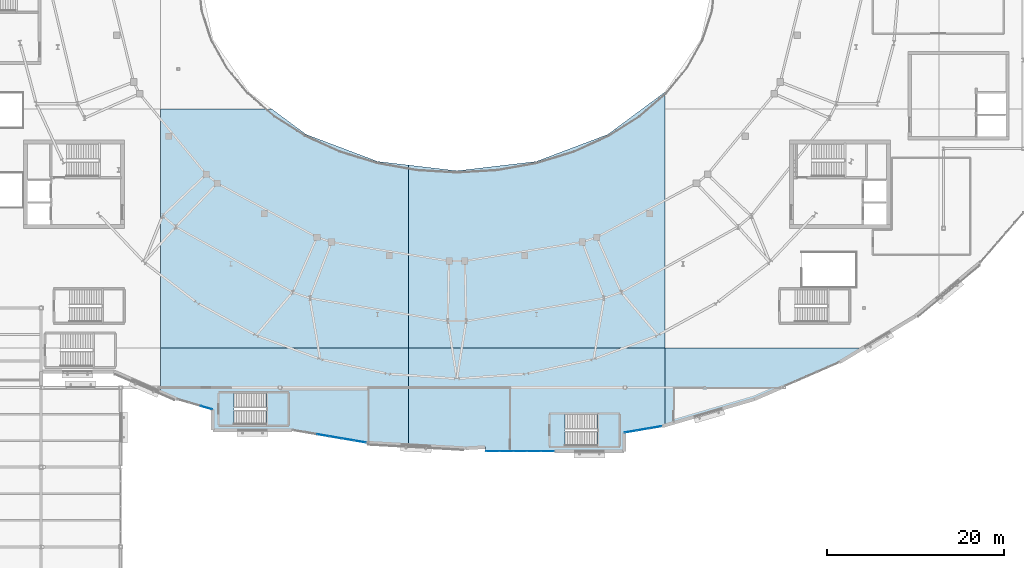
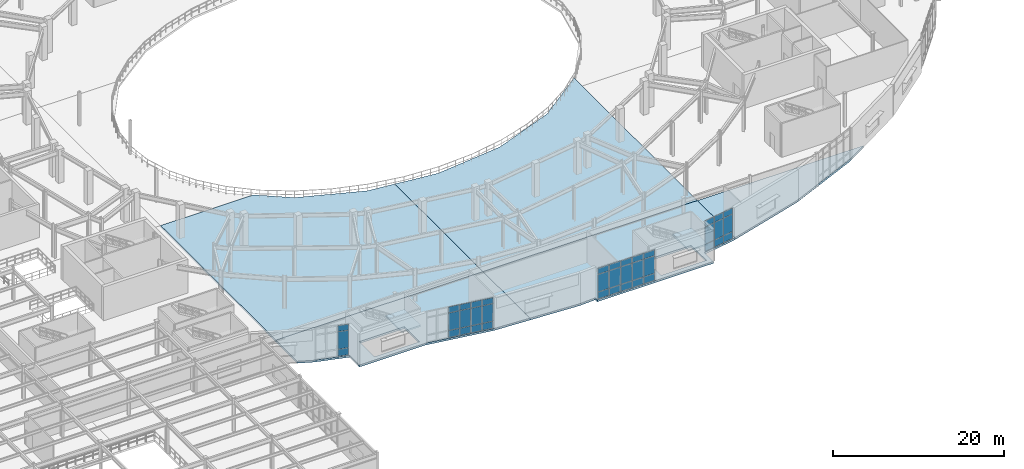
# One storey, part 54 of 86: 39 plates, 7 slabs, 6 elements without a shape of their own.
"""IFC4 building model written with IfcOpenShell, lengths in metres."""

from ifc_helpers import new_model, si_unit, direction, frame, origin, origin_2d, place, context, subcontext, project, spatial, polyline, rectangle, outline, extrude, material, layer, layer_set, type_object, element, aggregate, save


model = new_model("IFC4")

# Units and contexts
model_context = context("Model", 3, precision=1e-05, world=origin(), true_north=direction((0.0, 1.0)))
body_context = subcontext(model_context, "Body", "Model", "MODEL_VIEW")
ifc_project = project(units=[si_unit("LENGTHUNIT", "METRE"), si_unit("AREAUNIT", "SQUARE_METRE"), si_unit("VOLUMEUNIT", "CUBIC_METRE"), si_unit("PLANEANGLEUNIT", "RADIAN"), si_unit("MASSUNIT", "GRAM", prefix="KILO")], contexts=[model_context])

# Site, building, storey
site_placement = place(None, origin())
site = spatial("IfcSite", under=ifc_project, at=site_placement, CompositionType="ELEMENT")
building_placement = place(site_placement, origin())
building = spatial("IfcBuilding", under=site, at=building_placement, Name="Glasvene Arena", CompositionType="ELEMENT")
storey_placement = place(building_placement, frame((0.0, 0.0, 5.39990234375)))
storey = spatial("IfcBuildingStorey", under=building, at=storey_placement, Name="L01", CompositionType="ELEMENT", Elevation=5.39990234375)

# Curtain wall, plates
ifc_material_1 = material(Name="Low-emissivity laminated double glazing", Category="glass")
curtain_wall_type_1 = type_object("IfcCurtainWallType", Name="CW-FAC-L01-428x446", PredefinedType="USERDEFINED", material=ifc_material_1)
curtain_wall_1_placement = place(storey_placement, frame((115.16357421875, 22.632080078125, 0.0)))
curtain_wall_1 = element("IfcCurtainWall", 1, at=curtain_wall_1_placement, inside=storey, type_object=curtain_wall_type_1, Name="Unitised curtain wall CW-F-L01-180-1131-223-40", ObjectType="CURTAIN WALL", PredefinedType="USERDEFINED")
ifc_layer_1 = layer(ifc_material_1, 0.028076171875)
ifc_layer_set_1 = layer_set([ifc_layer_1], Name="Low-emissivity laminated double glazing")
plate_type = type_object("IfcPlateType", Name="CW-GLZ-28", PredefinedType="CURTAIN_PANEL", material=ifc_layer_set_1)
plate_1_placement = place(storey_placement, frame((114.447265625, 22.510498046875, 0.10986328125), z_axis=(0.0, 0.0, 1.0), x_axis=(-0.985871151746, -0.167505439181, 0.0)))
plate_1 = element("IfcPlate", 2, at=plate_1_placement, type_object=plate_type, Name="CW-012 panel 1.1", PredefinedType="CURTAIN_PANEL", context=body_context, shape_type="SweptSolid", body=[
    extrude(rectangle(XDim=1.353271484375, YDim=0.028076171875, at=origin_2d()), origin(), (0.0, 0.0, 1.0), 0.965087890625),
])
plate_2_placement = place(storey_placement, frame((114.447265625, 22.510498046875, 1.125), z_axis=(0.0, 0.0, 1.0), x_axis=(-0.985871151746, -0.167505439181, 0.0)))
plate_2 = element("IfcPlate", 3, at=plate_2_placement, type_object=plate_type, Name="CW-012 panel 1.2", PredefinedType="CURTAIN_PANEL", context=body_context, shape_type="SweptSolid", body=[
    extrude(rectangle(XDim=1.353271484375, YDim=0.028076171875, at=origin_2d()), origin(), (0.0, 0.0, 1.0), 2.469970703125),
])
plate_3_placement = place(storey_placement, frame((114.447265625, 22.510498046875, 3.64501953125), z_axis=(0.0, 0.0, 1.0), x_axis=(-0.985871151746, -0.167505439181, 0.0)))
plate_3 = element("IfcPlate", 4, at=plate_3_placement, type_object=plate_type, Name="CW-012 panel 1.3", PredefinedType="CURTAIN_PANEL", context=body_context, shape_type="SweptSolid", body=[
    extrude(rectangle(XDim=1.353271484375, YDim=0.028076171875, at=origin_2d()), origin(), (0.0, 0.0, 1.0), 0.824951171875),
])
plate_4_placement = place(storey_placement, frame((113.051513671875, 22.273193359375, 0.10986328125), z_axis=(0.0, 0.0, 1.0), x_axis=(-0.985871151746, -0.167505439181, 0.0)))
plate_4 = element("IfcPlate", 5, at=plate_4_placement, type_object=plate_type, Name="CW-012 panel 2.1", PredefinedType="CURTAIN_PANEL", context=body_context, shape_type="SweptSolid", body=[
    extrude(rectangle(XDim=1.378173828125, YDim=0.028076171875, at=origin_2d()), origin(), (0.0, 0.0, 1.0), 0.965087890625),
])
plate_5_placement = place(storey_placement, frame((113.051513671875, 22.273193359375, 1.125), z_axis=(0.0, 0.0, 1.0), x_axis=(-0.985871151746, -0.167505439181, 0.0)))
plate_5 = element("IfcPlate", 6, at=plate_5_placement, type_object=plate_type, Name="CW-012 panel 2.2", PredefinedType="CURTAIN_PANEL", context=body_context, shape_type="SweptSolid", body=[
    extrude(rectangle(XDim=1.378173828125, YDim=0.028076171875, at=origin_2d()), origin(), (0.0, 0.0, 1.0), 2.469970703125),
])
plate_6_placement = place(storey_placement, frame((113.051513671875, 22.273193359375, 3.64501953125), z_axis=(0.0, 0.0, 1.0), x_axis=(-0.985871151746, -0.167505439181, 0.0)))
plate_6 = element("IfcPlate", 7, at=plate_6_placement, type_object=plate_type, Name="CW-012 panel 2.3", PredefinedType="CURTAIN_PANEL", context=body_context, shape_type="SweptSolid", body=[
    extrude(rectangle(XDim=1.378173828125, YDim=0.028076171875, at=origin_2d()), origin(), (0.0, 0.0, 1.0), 0.824951171875),
])
plate_7_placement = place(storey_placement, frame((111.65576171875, 22.0361328125, 0.10986328125), z_axis=(0.0, 0.0, 1.0), x_axis=(-0.985871151746, -0.167505439181, 0.0)))
plate_7 = element("IfcPlate", 8, at=plate_7_placement, type_object=plate_type, Name="CW-012 panel 3.1", PredefinedType="CURTAIN_PANEL", context=body_context, shape_type="SweptSolid", body=[
    extrude(rectangle(XDim=1.353271484375, YDim=0.028076171875, at=origin_2d()), origin(), (0.0, 0.0, 1.0), 0.965087890625),
])
plate_8_placement = place(storey_placement, frame((111.65576171875, 22.0361328125, 1.125), z_axis=(0.0, 0.0, 1.0), x_axis=(-0.985871151746, -0.167505439181, 0.0)))
plate_8 = element("IfcPlate", 9, at=plate_8_placement, type_object=plate_type, Name="CW-012 panel 3.2", PredefinedType="CURTAIN_PANEL", context=body_context, shape_type="SweptSolid", body=[
    extrude(rectangle(XDim=1.353271484375, YDim=0.028076171875, at=origin_2d()), origin(), (0.0, 0.0, 1.0), 2.469970703125),
])
plate_9_placement = place(storey_placement, frame((111.65576171875, 22.0361328125, 3.64501953125), z_axis=(0.0, 0.0, 1.0), x_axis=(-0.985871151746, -0.167505439181, 0.0)))
plate_9 = element("IfcPlate", 10, at=plate_9_placement, type_object=plate_type, Name="CW-012 panel 3.3", PredefinedType="CURTAIN_PANEL", context=body_context, shape_type="SweptSolid", body=[
    extrude(rectangle(XDim=1.353271484375, YDim=0.028076171875, at=origin_2d()), origin(), (0.0, 0.0, 1.0), 0.824951171875),
])
aggregate(curtain_wall_1, [plate_1, plate_2, plate_3, plate_4, plate_5, plate_6, plate_7, plate_8, plate_9])

curtain_wall_type_2 = type_object("IfcCurtainWallType", Name="CW-FAC-L01-777x446", PredefinedType="USERDEFINED", material=ifc_material_1)
curtain_wall_2_placement = place(storey_placement, frame((103.010009765625, 19.800048828125, 0.0)))
curtain_wall_2 = element("IfcCurtainWall", 11, at=curtain_wall_2_placement, inside=storey, type_object=curtain_wall_type_2, Name="Unitised curtain wall CW-F-L01-180-991-198-43", ObjectType="CURTAIN WALL", PredefinedType="USERDEFINED")
plate_10_placement = place(storey_placement, frame((102.220458984375, 19.800048828125, 0.10986328125), z_axis=(0.0, 0.0, 1.0), x_axis=(-1.0, 0.0, 0.0)))
plate_10 = element("IfcPlate", 12, at=plate_10_placement, type_object=plate_type, Name="CW-013 panel 1.1", PredefinedType="CURTAIN_PANEL", context=body_context, shape_type="SweptSolid", body=[
    extrude(rectangle(XDim=1.47900390625, YDim=0.028076171875, at=origin_2d()), origin(), (0.0, 0.0, 1.0), 0.965087890625),
])
plate_11_placement = place(storey_placement, frame((102.220458984375, 19.800048828125, 1.125), z_axis=(0.0, 0.0, 1.0), x_axis=(-1.0, 0.0, 0.0)))
plate_11 = element("IfcPlate", 13, at=plate_11_placement, type_object=plate_type, Name="CW-013 panel 1.2", PredefinedType="CURTAIN_PANEL", context=body_context, shape_type="SweptSolid", body=[
    extrude(rectangle(XDim=1.47900390625, YDim=0.028076171875, at=origin_2d()), origin(), (0.0, 0.0, 1.0), 2.469970703125),
])
plate_12_placement = place(storey_placement, frame((102.220458984375, 19.800048828125, 3.64501953125), z_axis=(0.0, 0.0, 1.0), x_axis=(-1.0, 0.0, 0.0)))
plate_12 = element("IfcPlate", 14, at=plate_12_placement, type_object=plate_type, Name="CW-013 panel 1.3", PredefinedType="CURTAIN_PANEL", context=body_context, shape_type="SweptSolid", body=[
    extrude(rectangle(XDim=1.47900390625, YDim=0.028076171875, at=origin_2d()), origin(), (0.0, 0.0, 1.0), 0.824951171875),
])
plate_13_placement = place(storey_placement, frame((100.678955078125, 19.800048828125, 0.10986328125), z_axis=(0.0, 0.0, 1.0), x_axis=(-1.0, 0.0, 0.0)))
plate_13 = element("IfcPlate", 15, at=plate_13_placement, type_object=plate_type, Name="CW-013 panel 2.1", PredefinedType="CURTAIN_PANEL", context=body_context, shape_type="SweptSolid", body=[
    extrude(rectangle(XDim=1.50390625, YDim=0.028076171875, at=origin_2d()), origin(), (0.0, 0.0, 1.0), 0.965087890625),
])
plate_14_placement = place(storey_placement, frame((100.678955078125, 19.800048828125, 1.125), z_axis=(0.0, 0.0, 1.0), x_axis=(-1.0, 0.0, 0.0)))
plate_14 = element("IfcPlate", 16, at=plate_14_placement, type_object=plate_type, Name="CW-013 panel 2.2", PredefinedType="CURTAIN_PANEL", context=body_context, shape_type="SweptSolid", body=[
    extrude(rectangle(XDim=1.50390625, YDim=0.028076171875, at=origin_2d()), origin(), (0.0, 0.0, 1.0), 2.469970703125),
])
plate_15_placement = place(storey_placement, frame((100.678955078125, 19.800048828125, 3.64501953125), z_axis=(0.0, 0.0, 1.0), x_axis=(-1.0, 0.0, 0.0)))
plate_15 = element("IfcPlate", 17, at=plate_15_placement, type_object=plate_type, Name="CW-013 panel 2.3", PredefinedType="CURTAIN_PANEL", context=body_context, shape_type="SweptSolid", body=[
    extrude(rectangle(XDim=1.50390625, YDim=0.028076171875, at=origin_2d()), origin(), (0.0, 0.0, 1.0), 0.824951171875),
])
plate_16_placement = place(storey_placement, frame((99.125, 19.800048828125, 0.10986328125), z_axis=(0.0, 0.0, 1.0), x_axis=(-1.0, 0.0, 0.0)))
plate_16 = element("IfcPlate", 18, at=plate_16_placement, type_object=plate_type, Name="CW-013 panel 3.1", PredefinedType="CURTAIN_PANEL", context=body_context, shape_type="SweptSolid", body=[
    extrude(rectangle(XDim=1.50390625, YDim=0.028076171875, at=origin_2d()), origin(), (0.0, 0.0, 1.0), 0.965087890625),
])
plate_17_placement = place(storey_placement, frame((99.125, 19.800048828125, 1.125), z_axis=(0.0, 0.0, 1.0), x_axis=(-1.0, 0.0, 0.0)))
plate_17 = element("IfcPlate", 19, at=plate_17_placement, type_object=plate_type, Name="CW-013 panel 3.2", PredefinedType="CURTAIN_PANEL", context=body_context, shape_type="SweptSolid", body=[
    extrude(rectangle(XDim=1.50390625, YDim=0.028076171875, at=origin_2d()), origin(), (0.0, 0.0, 1.0), 2.469970703125),
])
plate_18_placement = place(storey_placement, frame((99.125, 19.800048828125, 3.64501953125), z_axis=(0.0, 0.0, 1.0), x_axis=(-1.0, 0.0, 0.0)))
plate_18 = element("IfcPlate", 20, at=plate_18_placement, type_object=plate_type, Name="CW-013 panel 3.3", PredefinedType="CURTAIN_PANEL", context=body_context, shape_type="SweptSolid", body=[
    extrude(rectangle(XDim=1.50390625, YDim=0.028076171875, at=origin_2d()), origin(), (0.0, 0.0, 1.0), 0.824951171875),
])
plate_19_placement = place(storey_placement, frame((97.571044921875, 19.800048828125, 0.10986328125), z_axis=(0.0, 0.0, 1.0), x_axis=(-1.0, 0.0, 0.0)))
plate_19 = element("IfcPlate", 21, at=plate_19_placement, type_object=plate_type, Name="CW-013 panel 4.1", PredefinedType="CURTAIN_PANEL", context=body_context, shape_type="SweptSolid", body=[
    extrude(rectangle(XDim=1.50390625, YDim=0.028076171875, at=origin_2d()), origin(), (0.0, 0.0, 1.0), 0.965087890625),
])
plate_20_placement = place(storey_placement, frame((97.571044921875, 19.800048828125, 1.125), z_axis=(0.0, 0.0, 1.0), x_axis=(-1.0, 0.0, 0.0)))
plate_20 = element("IfcPlate", 22, at=plate_20_placement, type_object=plate_type, Name="CW-013 panel 4.2", PredefinedType="CURTAIN_PANEL", context=body_context, shape_type="SweptSolid", body=[
    extrude(rectangle(XDim=1.50390625, YDim=0.028076171875, at=origin_2d()), origin(), (0.0, 0.0, 1.0), 2.469970703125),
])
plate_21_placement = place(storey_placement, frame((97.571044921875, 19.800048828125, 3.64501953125), z_axis=(0.0, 0.0, 1.0), x_axis=(-1.0, 0.0, 0.0)))
plate_21 = element("IfcPlate", 23, at=plate_21_placement, type_object=plate_type, Name="CW-013 panel 4.3", PredefinedType="CURTAIN_PANEL", context=body_context, shape_type="SweptSolid", body=[
    extrude(rectangle(XDim=1.50390625, YDim=0.028076171875, at=origin_2d()), origin(), (0.0, 0.0, 1.0), 0.824951171875),
])
plate_22_placement = place(storey_placement, frame((96.029541015625, 19.800048828125, 0.10986328125), z_axis=(0.0, 0.0, 1.0), x_axis=(-1.0, 0.0, 0.0)))
plate_22 = element("IfcPlate", 24, at=plate_22_placement, type_object=plate_type, Name="CW-013 panel 5.1", PredefinedType="CURTAIN_PANEL", context=body_context, shape_type="SweptSolid", body=[
    extrude(rectangle(XDim=1.47900390625, YDim=0.028076171875, at=origin_2d()), origin(), (0.0, 0.0, 1.0), 0.965087890625),
])
plate_23_placement = place(storey_placement, frame((96.029541015625, 19.800048828125, 1.125), z_axis=(0.0, 0.0, 1.0), x_axis=(-1.0, 0.0, 0.0)))
plate_23 = element("IfcPlate", 25, at=plate_23_placement, type_object=plate_type, Name="CW-013 panel 5.2", PredefinedType="CURTAIN_PANEL", context=body_context, shape_type="SweptSolid", body=[
    extrude(rectangle(XDim=1.47900390625, YDim=0.028076171875, at=origin_2d()), origin(), (0.0, 0.0, 1.0), 2.469970703125),
])
plate_24_placement = place(storey_placement, frame((96.029541015625, 19.800048828125, 3.64501953125), z_axis=(0.0, 0.0, 1.0), x_axis=(-1.0, 0.0, 0.0)))
plate_24 = element("IfcPlate", 26, at=plate_24_placement, type_object=plate_type, Name="CW-013 panel 5.3", PredefinedType="CURTAIN_PANEL", context=body_context, shape_type="SweptSolid", body=[
    extrude(rectangle(XDim=1.47900390625, YDim=0.028076171875, at=origin_2d()), origin(), (0.0, 0.0, 1.0), 0.824951171875),
])
aggregate(curtain_wall_2, [plate_10, plate_11, plate_12, plate_13, plate_14, plate_15, plate_16, plate_17, plate_18, plate_19, plate_20, plate_21, plate_22, plate_23, plate_24])

curtain_wall_type_3 = type_object("IfcCurtainWallType", Name="CW-FAC-L01-842x446", PredefinedType="USERDEFINED", material=ifc_material_1)
curtain_wall_3_placement = place(storey_placement, frame((81.720703125, 20.78271484375, 0.0)))
curtain_wall_3 = element("IfcCurtainWall", 27, at=curtain_wall_3_placement, inside=storey, type_object=curtain_wall_type_3, Name="Unitised curtain wall CW-F-L01-180-776-215-46", ObjectType="CURTAIN WALL", PredefinedType="USERDEFINED")
plate_25_placement = place(storey_placement, frame((81.0166015625, 20.90234375, 0.10986328125), z_axis=(0.0, 0.0, 1.0), x_axis=(-0.985869695789, 0.167514008144, 0.0)))
plate_25 = element("IfcPlate", 28, at=plate_25_placement, type_object=plate_type, Name="CW-014 panel 1.1", PredefinedType="CURTAIN_PANEL", context=body_context, shape_type="SweptSolid", body=[
    extrude(rectangle(XDim=1.328369140625, YDim=0.028076171875, at=origin_2d()), origin(), (0.0, 0.0, 1.0), 0.965087890625),
])
plate_26_placement = place(storey_placement, frame((81.0166015625, 20.90234375, 1.125), z_axis=(0.0, 0.0, 1.0), x_axis=(-0.985869695789, 0.167514008144, 0.0)))
plate_26 = element("IfcPlate", 29, at=plate_26_placement, type_object=plate_type, Name="CW-014 panel 1.2", PredefinedType="CURTAIN_PANEL", context=body_context, shape_type="SweptSolid", body=[
    extrude(rectangle(XDim=1.328369140625, YDim=0.028076171875, at=origin_2d()), origin(), (0.0, 0.0, 1.0), 2.469970703125),
])
plate_27_placement = place(storey_placement, frame((81.0166015625, 20.90234375, 3.64501953125), z_axis=(0.0, 0.0, 1.0), x_axis=(-0.985869695789, 0.167514008144, 0.0)))
plate_27 = element("IfcPlate", 30, at=plate_27_placement, type_object=plate_type, Name="CW-014 panel 1.3", PredefinedType="CURTAIN_PANEL", context=body_context, shape_type="SweptSolid", body=[
    extrude(rectangle(XDim=1.328369140625, YDim=0.028076171875, at=origin_2d()), origin(), (0.0, 0.0, 1.0), 0.824951171875),
])
plate_28_placement = place(storey_placement, frame((79.645263671875, 21.13525390625, 0.10986328125), z_axis=(0.0, 0.0, 1.0), x_axis=(-0.985869695789, 0.167514008144, 0.0)))
plate_28 = element("IfcPlate", 31, at=plate_28_placement, type_object=plate_type, Name="CW-014 panel 2.1", PredefinedType="CURTAIN_PANEL", context=body_context, shape_type="SweptSolid", body=[
    extrude(rectangle(XDim=1.353515625, YDim=0.028076171875, at=origin_2d()), origin(), (0.0, 0.0, 1.0), 0.965087890625),
])
plate_29_placement = place(storey_placement, frame((79.645263671875, 21.13525390625, 1.125), z_axis=(0.0, 0.0, 1.0), x_axis=(-0.985869695789, 0.167514008144, 0.0)))
plate_29 = element("IfcPlate", 32, at=plate_29_placement, type_object=plate_type, Name="CW-014 panel 2.2", PredefinedType="CURTAIN_PANEL", context=body_context, shape_type="SweptSolid", body=[
    extrude(rectangle(XDim=1.353515625, YDim=0.028076171875, at=origin_2d()), origin(), (0.0, 0.0, 1.0), 2.469970703125),
])
plate_30_placement = place(storey_placement, frame((79.645263671875, 21.13525390625, 3.64501953125), z_axis=(0.0, 0.0, 1.0), x_axis=(-0.985869695789, 0.167514008144, 0.0)))
plate_30 = element("IfcPlate", 33, at=plate_30_placement, type_object=plate_type, Name="CW-014 panel 2.3", PredefinedType="CURTAIN_PANEL", context=body_context, shape_type="SweptSolid", body=[
    extrude(rectangle(XDim=1.353515625, YDim=0.028076171875, at=origin_2d()), origin(), (0.0, 0.0, 1.0), 0.824951171875),
])
plate_31_placement = place(storey_placement, frame((78.26171875, 21.370361328125, 0.10986328125), z_axis=(0.0, 0.0, 1.0), x_axis=(-0.985869695789, 0.167514008144, 0.0)))
plate_31 = element("IfcPlate", 34, at=plate_31_placement, type_object=plate_type, Name="CW-014 panel 3.1", PredefinedType="CURTAIN_PANEL", context=body_context, shape_type="SweptSolid", body=[
    extrude(rectangle(XDim=1.353515625, YDim=0.028076171875, at=origin_2d()), origin(), (0.0, 0.0, 1.0), 0.965087890625),
])
plate_32_placement = place(storey_placement, frame((78.26171875, 21.370361328125, 1.125), z_axis=(0.0, 0.0, 1.0), x_axis=(-0.985869695789, 0.167514008144, 0.0)))
plate_32 = element("IfcPlate", 35, at=plate_32_placement, type_object=plate_type, Name="CW-014 panel 3.2", PredefinedType="CURTAIN_PANEL", context=body_context, shape_type="SweptSolid", body=[
    extrude(rectangle(XDim=1.353515625, YDim=0.028076171875, at=origin_2d()), origin(), (0.0, 0.0, 1.0), 2.469970703125),
])
plate_33_placement = place(storey_placement, frame((78.26171875, 21.370361328125, 3.64501953125), z_axis=(0.0, 0.0, 1.0), x_axis=(-0.985869695789, 0.167514008144, 0.0)))
plate_33 = element("IfcPlate", 36, at=plate_33_placement, type_object=plate_type, Name="CW-014 panel 3.3", PredefinedType="CURTAIN_PANEL", context=body_context, shape_type="SweptSolid", body=[
    extrude(rectangle(XDim=1.353515625, YDim=0.028076171875, at=origin_2d()), origin(), (0.0, 0.0, 1.0), 0.824951171875),
])
plate_34_placement = place(storey_placement, frame((76.878173828125, 21.60546875, 0.10986328125), z_axis=(0.0, 0.0, 1.0), x_axis=(-0.985869695789, 0.167514008144, 0.0)))
plate_34 = element("IfcPlate", 37, at=plate_34_placement, type_object=plate_type, Name="CW-014 panel 4.1", PredefinedType="CURTAIN_PANEL", context=body_context, shape_type="SweptSolid", body=[
    extrude(rectangle(XDim=1.353515625, YDim=0.028076171875, at=origin_2d()), origin(), (0.0, 0.0, 1.0), 0.965087890625),
])
plate_35_placement = place(storey_placement, frame((76.878173828125, 21.60546875, 1.125), z_axis=(0.0, 0.0, 1.0), x_axis=(-0.985869695789, 0.167514008144, 0.0)))
plate_35 = element("IfcPlate", 38, at=plate_35_placement, type_object=plate_type, Name="CW-014 panel 4.2", PredefinedType="CURTAIN_PANEL", context=body_context, shape_type="SweptSolid", body=[
    extrude(rectangle(XDim=1.353515625, YDim=0.028076171875, at=origin_2d()), origin(), (0.0, 0.0, 1.0), 2.469970703125),
])
plate_36_placement = place(storey_placement, frame((76.878173828125, 21.60546875, 3.64501953125), z_axis=(0.0, 0.0, 1.0), x_axis=(-0.985869695789, 0.167514008144, 0.0)))
plate_36 = element("IfcPlate", 39, at=plate_36_placement, type_object=plate_type, Name="CW-014 panel 4.3", PredefinedType="CURTAIN_PANEL", context=body_context, shape_type="SweptSolid", body=[
    extrude(rectangle(XDim=1.353515625, YDim=0.028076171875, at=origin_2d()), origin(), (0.0, 0.0, 1.0), 0.824951171875),
])
aggregate(curtain_wall_3, [plate_25, plate_26, plate_27, plate_28, plate_29, plate_30, plate_31, plate_32, plate_33, plate_34, plate_35, plate_36])

curtain_wall_type_4 = type_object("IfcCurtainWallType", Name="CW-FAC-L01-411x446", PredefinedType="USERDEFINED", material=ifc_material_1)
curtain_wall_4_placement = place(storey_placement, frame((64.361572265625, 24.525390625, 0.0)))
curtain_wall_4 = element("IfcCurtainWall", 40, at=curtain_wall_4_placement, inside=storey, type_object=curtain_wall_type_4, Name="Unitised curtain wall CW-F-L01-180-624-251-49", ObjectType="CURTAIN WALL", PredefinedType="USERDEFINED")
plate_37_placement = place(storey_placement, frame((63.692626953125, 24.721435546875, 0.10986328125), z_axis=(0.0, 0.0, 1.0), x_axis=(-0.959624012704, 0.28128589414, 0.0)))
plate_37 = element("IfcPlate", 41, at=plate_37_placement, type_object=plate_type, Name="CW-015 panel 1.1", PredefinedType="CURTAIN_PANEL", context=body_context, shape_type="SweptSolid", body=[
    extrude(rectangle(XDim=1.29443359375, YDim=0.028076171875, at=origin_2d()), origin(), (0.0, 0.0, 1.0), 0.965087890625),
])
plate_38_placement = place(storey_placement, frame((63.692626953125, 24.721435546875, 1.125), z_axis=(0.0, 0.0, 1.0), x_axis=(-0.959624012704, 0.28128589414, 0.0)))
plate_38 = element("IfcPlate", 42, at=plate_38_placement, type_object=plate_type, Name="CW-015 panel 1.2", PredefinedType="CURTAIN_PANEL", context=body_context, shape_type="SweptSolid", body=[
    extrude(rectangle(XDim=1.29443359375, YDim=0.028076171875, at=origin_2d()), origin(), (0.0, 0.0, 1.0), 2.469970703125),
])
plate_39_placement = place(storey_placement, frame((63.692626953125, 24.721435546875, 3.64501953125), z_axis=(0.0, 0.0, 1.0), x_axis=(-0.959624012704, 0.28128589414, 0.0)))
plate_39 = element("IfcPlate", 43, at=plate_39_placement, type_object=plate_type, Name="CW-015 panel 1.3", PredefinedType="CURTAIN_PANEL", context=body_context, shape_type="SweptSolid", body=[
    extrude(rectangle(XDim=1.29443359375, YDim=0.028076171875, at=origin_2d()), origin(), (0.0, 0.0, 1.0), 0.824951171875),
])
aggregate(curtain_wall_4, [plate_37, plate_38, plate_39])

# Slabs
ifc_material_2 = material(Name="Concrete C40/50", Category="concrete")
ifc_layer_2 = layer(ifc_material_2, 0.280029296875)
ifc_layer_set_2 = layer_set([ifc_layer_2], Name="Concrete C40/50")
slab_type_1 = type_object("IfcSlabType", Name="SL-CONC-280", PredefinedType="FLOOR", material=ifc_layer_set_2)
slab_1_placement = place(storey_placement, frame((70.47998046875, 25.044677734375, -0.27978515625)))
element("IfcSlab", 44, at=slab_1_placement, inside=storey, type_object=slab_type_1, Name="Structural floor slab L01 sector 1-3 (41)", PredefinedType="FLOOR", context=body_context, shape_type="SweptSolid", body=[
    extrude(outline(polyline([(2.899658203125, -2.8447265625), (-6.080078125, -2.8447265625), (-6.080078125, -0.530517578125), (-10.09912109375, 0.647705078125), (-11.97998046875, 1.46337890625), (-11.97998046875, 6.455322265625), (16.02001953125, 6.455322265625), (16.02001953125, -4.53271484375), (11.2802734375, -4.268798828125), (2.899658203125, -2.8447265625)]), holes=[polyline([(2.419921875, -2.24462890625), (2.419921875, 1.305419921875), (-3.677978515625, 1.305419921875), (-3.677978515625, -2.24462890625), (2.419921875, -2.24462890625)])]), origin(), (0.0, 0.0, 1.0), 0.27978515625),
])
slab_2_placement = place(storey_placement, frame((102.440185546875, 23.080810546875, -0.27978515625)))
element("IfcSlab", 45, at=slab_2_placement, inside=storey, type_object=slab_type_1, Name="Structural floor slab L01 sector 1-4 (42)", PredefinedType="FLOOR", context=body_context, shape_type="SweptSolid", body=[
    extrude(outline(polyline([(8.459716796875, -1.173095703125), (8.459716796875, -3.28076171875), (-7.240234375, -3.28076171875), (-7.240234375, -2.808349609375), (-9.440185546875, -2.930908203125), (-15.940185546875, -2.56884765625), (-15.940185546875, 8.419189453125), (13.059814453125, 8.419189453125), (13.059814453125, -0.35498046875), (12.7626953125, -0.44189453125), (8.459716796875, -1.173095703125)]), holes=[polyline([(7.85986328125, -2.680908203125), (7.85986328125, 0.869140625), (1.76171875, 0.869140625), (1.76171875, -2.680908203125), (7.85986328125, -2.680908203125)])]), origin(), (0.0, 0.0, 1.0), 0.27978515625),
])
slab_3_placement = place(storey_placement, frame((125.958984375, 28.255859375, -0.27978515625)))
element("IfcSlab", 46, at=slab_3_placement, inside=storey, type_object=slab_type_1, Name="Structural floor slab L01 sector 1-5 (43)", PredefinedType="FLOOR", context=body_context, shape_type="SweptSolid", body=[
    extrude(outline(polyline([(9.2734375, 1.605712890625), (-0.33984375, -2.5634765625), (-10.458984375, -5.530029296875), (-10.458984375, 3.244140625), (11.984130859375, 3.244140625), (9.2734375, 1.605712890625)])), origin(), (0.0, 0.0, 1.0), 0.27978515625),
])
slab_4_placement = place(storey_placement, frame((74.149169921875, 48.614990234375, -0.27978515625)))
element("IfcSlab", 47, at=slab_4_placement, inside=storey, type_object=slab_type_1, Name="Structural floor slab L01 sector 2-3 (46)", PredefinedType="FLOOR", context=body_context, shape_type="SweptSolid", body=[
    extrude(outline(polyline([(0.804931640625, 6.9912109375), (8.889404296875, 3.937255859375), (12.350830078125, 3.53076171875), (12.350830078125, -17.114990234375), (-15.649169921875, -17.114990234375), (-15.649169921875, 9.885009765625), (-3.098388671875, 9.885009765625), (0.804931640625, 6.9912109375)])), origin(), (0.0, 0.0, 1.0), 0.27978515625),
])
slab_5_placement = place(storey_placement, frame((102.68359375, 49.4482421875, -0.27978515625)))
element("IfcSlab", 48, at=slab_5_placement, inside=storey, type_object=slab_type_1, Name="Structural floor slab L01 sector 2-4 (47)", PredefinedType="FLOOR", context=body_context, shape_type="SweptSolid", body=[
    extrude(outline(polyline([(-1.72216796875, 3.10400390625), (6.3623046875, 6.157958984375), (12.77783203125, 10.914306640625), (12.81640625, 10.970458984375), (12.81640625, -17.9482421875), (-16.18359375, -17.9482421875), (-16.18359375, 2.697509765625), (-10.68359375, 2.0517578125), (-1.72216796875, 3.10400390625)])), origin(), (0.0, 0.0, 1.0), 0.27978515625),
])

# Stair, slab
stair_type = type_object("IfcStairType", Name="ST-HT-480-165", PredefinedType="HALF_TURN_STAIR", material=ifc_material_2)
stair_1_placement = place(storey_placement, origin())
stair_1 = element("IfcStair", 49, at=stair_1_placement, inside=storey, type_object=stair_type, Name="Protected escape stair ST-08 (L01 to L02)", PredefinedType="HALF_TURN_STAIR")
ifc_layer_3 = layer(ifc_material_2, 0.219970703125)
ifc_layer_set_3 = layer_set([ifc_layer_3], Name="Concrete C40/50")
slab_type_2 = type_object("IfcSlabType", Name="SL-LAND-220", PredefinedType="LANDING", material=ifc_layer_set_3)
slab_6_placement = place(storey_placement, frame((71.719970703125, 24.574951171875, 2.18017578125)))
slab_6 = element("IfcSlab", 50, at=slab_6_placement, type_object=slab_type_2, Name="Protected escape stair ST-08 (L01 to L02) landing 1", PredefinedType="LANDING", context=body_context, shape_type="SweptSolid", body=[
    extrude(outline(polyline([(-1.280029296875, -1.875), (1.280029296875, -1.875), (1.280029296875, 1.875), (-1.280029296875, 1.875), (-1.280029296875, -1.875)])), origin(), (0.0, 0.0, 1.0), 0.219970703125),
])
aggregate(stair_1, [slab_6])

stair_2_placement = place(storey_placement, origin())
stair_2 = element("IfcStair", 51, at=stair_2_placement, inside=storey, type_object=stair_type, Name="Protected escape stair ST-09 (L01 to L02)", PredefinedType="HALF_TURN_STAIR")
slab_7_placement = place(storey_placement, frame((109.1201171875, 22.175048828125, 2.18017578125)))
slab_7 = element("IfcSlab", 52, at=slab_7_placement, type_object=slab_type_2, Name="Protected escape stair ST-09 (L01 to L02) landing 1", PredefinedType="LANDING", context=body_context, shape_type="SweptSolid", body=[
    extrude(outline(polyline([(-1.280029296875, -1.875), (1.27978515625, -1.875), (1.27978515625, 1.875), (-1.280029296875, 1.875), (-1.280029296875, -1.875)])), origin(), (0.0, 0.0, 1.0), 0.219970703125),
])
aggregate(stair_2, [slab_7])

save(model, "model.ifc")
